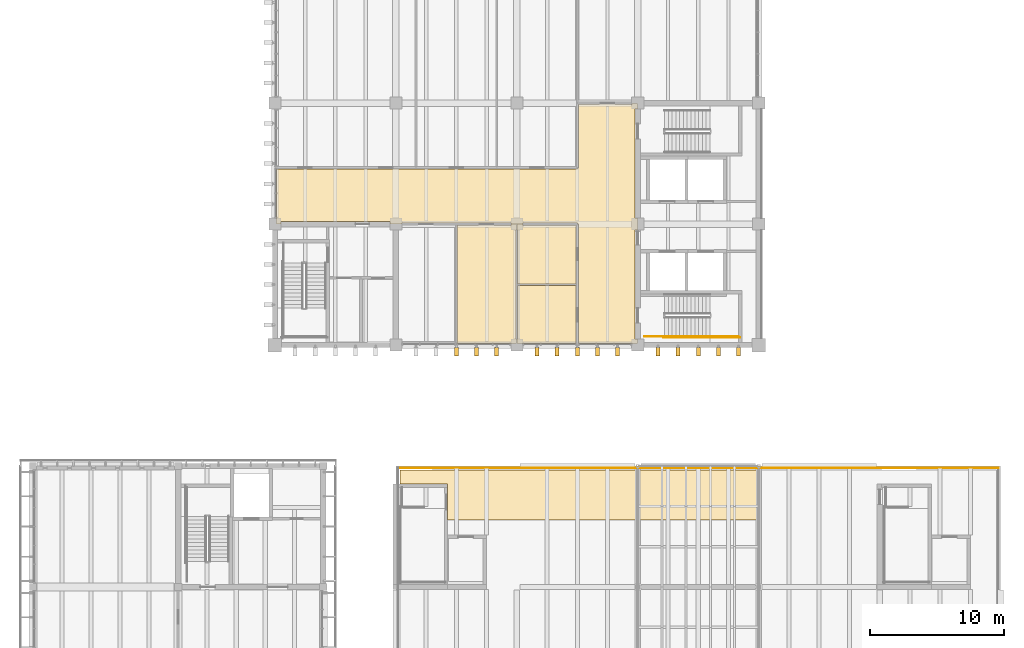
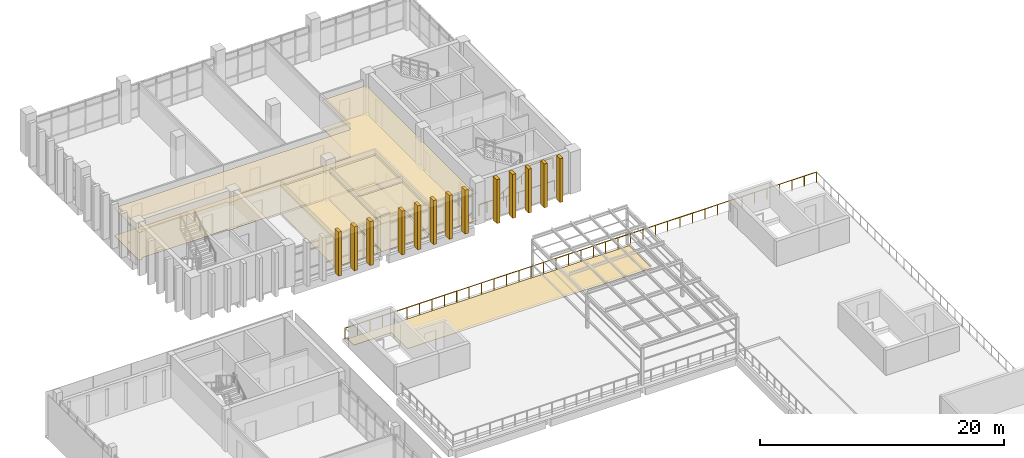
# One storey, part 72 of 74: 13 shading devices, 9 coverings, 5 railings.
"""IFC4 building model written with IfcOpenShell, lengths in metres."""

import ifcopenshell
import ifcopenshell.guid

model = None  # the IFC model being written
_history = None  # IfcOwnerHistory: only IFC2X3 demands one
_inside = {}  # id of a spatial element -> (the spatial element, [elements in it])
_under = {}  # id of a project, library or spatial element -> (it, [spatial elements below it])
_declared = {}  # id of a project -> (the project, [libraries it declares])
_typed = {}  # id of a type object -> (the type object, [elements of that type])
_made_of = {}  # id of a material, layer set ... -> (it, [elements and type objects made of it])


def new_model(schema):
    """Start an empty IFC model of exactly this schema.

    Asked for "IFC4X3", IfcOpenShell would pick the latest addendum, in which some entities
    have other attributes; the version numbers below select the first issue.
    IFC2X3 requires an IfcOwnerHistory on every rooted entity: one is made here for all.
    """
    global model, _history
    if schema == "IFC4X3":
        model = ifcopenshell.file(schema_version=(4, 3, 0, 0))
    else:
        model = ifcopenshell.file(schema=schema)
    _inside.clear()
    _under.clear()
    _declared.clear()
    _typed.clear()
    _made_of.clear()
    _history = None
    if model.schema == "IFC2X3":
        org = make("IfcOrganization", Name="unknown")
        user = make(
            "IfcPersonAndOrganization",
            ThePerson=make("IfcPerson", FamilyName="unknown"),
            TheOrganization=org,
        )
        app = make(
            "IfcApplication",
            ApplicationDeveloper=org,
            Version="unknown",
            ApplicationFullName="unknown",
            ApplicationIdentifier="unknown",
        )
        _history = make(
            "IfcOwnerHistory",
            OwningUser=user,
            OwningApplication=app,
            ChangeAction="ADDED",
            CreationDate=0,
        )
    return model


def make(cls, **values):
    """One entity of the class cls with the attributes given. An attribute that is None is left unset."""
    return model.create_entity(
        cls, **{name: value for name, value in values.items() if value is not None}
    )


def rooted(cls, **values):
    """An entity with a GlobalId (a new one), such as an element, a storey or a relation."""
    return make(cls, GlobalId=ifcopenshell.guid.new(), OwnerHistory=_history, **values)


def si_unit(unit_type, name, prefix=None):
    """IfcSIUnit, for example si_unit("LENGTHUNIT", "METRE", prefix="MILLI")."""
    return make("IfcSIUnit", UnitType=unit_type, Prefix=prefix, Name=name)


def assignment(units):
    """IfcUnitAssignment: the units of a project."""
    return None if units is None else make("IfcUnitAssignment", Units=units)


def point(xyz):
    """IfcCartesianPoint."""
    return None if xyz is None else make("IfcCartesianPoint", Coordinates=xyz)


def direction(xyz):
    """IfcDirection."""
    return None if xyz is None else make("IfcDirection", DirectionRatios=xyz)


def frame(location, z_axis=None, x_axis=None):
    """IfcAxis2Placement3D, a coordinate frame: its origin and axes. An axis left out is left unset."""
    return make(
        "IfcAxis2Placement3D",
        Location=point(location),
        Axis=direction(z_axis),
        RefDirection=direction(x_axis),
    )


def frame_2d(location, x_axis=None):
    """IfcAxis2Placement2D, a coordinate frame in the plane: its origin and x axis."""
    return make(
        "IfcAxis2Placement2D", Location=point(location), RefDirection=direction(x_axis)
    )


def origin():
    """The frame at (0, 0, 0) with its axes left unset."""
    return frame((0.0, 0.0, 0.0))


def origin_2d():
    """The frame at (0, 0) in the plane with its x axis left unset."""
    return frame_2d((0.0, 0.0))


def place(relative_to, where):
    """IfcLocalPlacement: puts the frame where relative to a parent placement (None: the world)."""
    return make(
        "IfcLocalPlacement", PlacementRelTo=relative_to, RelativePlacement=where
    )


def context(
    kind, dimensions, precision=None, world=None, true_north=None, identifier=None
):
    """IfcGeometricRepresentationContext, for example the 3D "Model" context."""
    return make(
        "IfcGeometricRepresentationContext",
        ContextIdentifier=identifier,
        ContextType=kind,
        CoordinateSpaceDimension=dimensions,
        Precision=precision,
        WorldCoordinateSystem=world,
        TrueNorth=true_north,
    )


def subcontext(parent, identifier, kind, view, scale=None):
    """IfcGeometricRepresentationSubContext, for example "Body" below "Model"."""
    return make(
        "IfcGeometricRepresentationSubContext",
        ContextIdentifier=identifier,
        ContextType=kind,
        ParentContext=parent,
        TargetScale=scale,
        TargetView=view,
    )


def project(units=None, contexts=None):
    """IfcProject with its units and contexts."""
    return rooted(
        "IfcProject",
        Name="project",
        RepresentationContexts=contexts,
        UnitsInContext=assignment(units),
    )


def spatial(cls, under=None, at=None, **own):
    """A site, building, storey or space (cls), placed at a placement, below another one or the project."""
    s = rooted(cls, ObjectPlacement=at, **own)
    if under is not None:
        _under.setdefault(under.id(), (under, []))[1].append(s)
    return s


def polyline(points):
    """IfcPolyline through the points."""
    return make("IfcPolyline", Points=[point(p) for p in points])


def profile(cls, at=None, kind="AREA", **sizes):
    """A parametric profile (cls). Its sizes go by their IFC names, for example OverallWidth=200.0."""
    return make(cls, ProfileType=kind, Position=at, **sizes)


def circle(**sizes):
    """IfcCircleProfileDef."""
    return profile("IfcCircleProfileDef", **sizes)


def outline(outer, holes=None, kind="AREA"):
    """IfcArbitraryClosedProfileDef: a profile drawn as a closed curve; with holes, ...WithVoids."""
    if holes is None:
        return make("IfcArbitraryClosedProfileDef", ProfileType=kind, OuterCurve=outer)
    return make(
        "IfcArbitraryProfileDefWithVoids",
        ProfileType=kind,
        OuterCurve=outer,
        InnerCurves=holes,
    )


def extrude(swept, where, along, depth):
    """IfcExtrudedAreaSolid: the profile swept, set in the frame where, extruded along a direction by depth."""
    return make(
        "IfcExtrudedAreaSolid",
        SweptArea=swept,
        Position=where,
        ExtrudedDirection=direction(along),
        Depth=depth,
    )


def shape(context_of_items, identifier, shape_type, items):
    """IfcShapeRepresentation: the items that make up one representation, for example the "Body"."""
    return make(
        "IfcShapeRepresentation",
        ContextOfItems=context_of_items,
        RepresentationIdentifier=identifier,
        RepresentationType=shape_type,
        Items=items,
    )


def source(mapping_origin, context_of_items, identifier, shape_type, items):
    """IfcRepresentationMap: a shape defined once, which mapped items show again and again."""
    return make(
        "IfcRepresentationMap",
        MappingOrigin=mapping_origin,
        MappedRepresentation=shape(context_of_items, identifier, shape_type, items),
    )


def transform(
    local_origin,
    x_axis=None,
    y_axis=None,
    z_axis=None,
    scale=None,
    scale2=None,
    scale3=None,
    uniform=True,
):
    """IfcCartesianTransformationOperator3D, or its non-uniform kind. x_axis, y_axis, z_axis: its Axis1, 2, 3."""
    if uniform:
        return make(
            "IfcCartesianTransformationOperator3D",
            Axis1=direction(x_axis),
            Axis2=direction(y_axis),
            LocalOrigin=point(local_origin),
            Scale=scale,
            Axis3=direction(z_axis),
        )
    return make(
        "IfcCartesianTransformationOperator3DnonUniform",
        Axis1=direction(x_axis),
        Axis2=direction(y_axis),
        LocalOrigin=point(local_origin),
        Scale=scale,
        Axis3=direction(z_axis),
        Scale2=scale2,
        Scale3=scale3,
    )


def mapped(mapping_source, mapping_target):
    """IfcMappedItem: shows the shape of a source again, moved by a transform."""
    return make(
        "IfcMappedItem", MappingSource=mapping_source, MappingTarget=mapping_target
    )


def material(Name=None, Category=None):
    """IfcMaterial."""
    return make("IfcMaterial", Name=Name, Category=Category)


def layer(
    of_material, thickness, ventilated=None, Name=None, Category=None, Priority=None
):
    """IfcMaterialLayer: one layer of a wall or slab, of a material (None: an air gap)."""
    return make(
        "IfcMaterialLayer",
        Material=of_material,
        LayerThickness=thickness,
        IsVentilated=ventilated,
        Name=Name,
        Category=Category,
        Priority=Priority,
    )


def layer_set(layers, Name=None):
    """IfcMaterialLayerSet."""
    return make("IfcMaterialLayerSet", MaterialLayers=layers, LayerSetName=Name)


def made_of(thing, what):
    """Note that an element or type object is made of a material, layer set ...; save() writes the relation."""
    if what is not None:
        _made_of.setdefault(what.id(), (what, []))[1].append(thing)
    return thing


def type_object(cls, material=None, **own):
    """A type object (cls), such as IfcWallType, which elements share."""
    return made_of(rooted(cls, **own), material)


def element(
    cls,
    number,
    at=None,
    inside=None,
    cuts=None,
    type_object=None,
    material=None,
    context=None,
    identifier="Body",
    shape_type=None,
    held_by="IfcProductDefinitionShape",
    body=None,
    shapes=None,
    **own,
):
    """One element of the class cls, such as IfcWall. Its Tag is "e" and its number.

    at: its placement. inside: the storey or other place that contains it. cuts: it is an
    opening in that element (IfcRelVoidsElement). A single representation is given by context,
    identifier, shape_type and body (its items); several are given by shapes. held_by: the class
    of the entity that holds the representations. save() writes the other relations.
    """
    e = rooted(cls, Tag="e%d" % number, ObjectPlacement=at, **own)
    if body is not None:
        shapes = [shape(context, identifier, shape_type, body)]
    if shapes is not None:
        e.Representation = make(held_by, Representations=shapes)
    if inside is not None:
        _inside.setdefault(inside.id(), (inside, []))[1].append(e)
    if cuts is not None:
        rooted(
            "IfcRelVoidsElement", RelatingBuildingElement=cuts, RelatedOpeningElement=e
        )
    if type_object is not None:
        _typed.setdefault(type_object.id(), (type_object, []))[1].append(e)
    return made_of(e, material)


def aggregate(whole, parts):
    """IfcRelAggregates: a whole, such as a stair, and the parts it consists of."""
    return rooted("IfcRelAggregates", RelatingObject=whole, RelatedObjects=parts)


def save(model, path):
    """Write the relations noted so far, then the file.

    IfcRelAggregates (storeys below a building ...), IfcRelContainedInSpatialStructure (elements
    in a storey), IfcRelDefinesByType, IfcRelAssociatesMaterial and IfcRelDeclares: one each for
    every whole, place, type object, material and project.
    """
    for whole, parts in _under.values():
        aggregate(whole, parts)
    for where, things in _inside.values():
        rooted(
            "IfcRelContainedInSpatialStructure",
            RelatedElements=things,
            RelatingStructure=where,
        )
    for kind, things in _typed.values():
        rooted("IfcRelDefinesByType", RelatedObjects=things, RelatingType=kind)
    for what, things in _made_of.values():
        rooted("IfcRelAssociatesMaterial", RelatedObjects=things, RelatingMaterial=what)
    for by, libraries in _declared.values():
        rooted("IfcRelDeclares", RelatingContext=by, RelatedDefinitions=libraries)
    model.write(path)


model = new_model("IFC4")

# Units and contexts
model_context = context("Model", 3, precision=1e-05, world=origin(), true_north=direction((0.0, 1.0)))
body_context = subcontext(model_context, "Body", "Model", "MODEL_VIEW")
ifc_project = project(units=[si_unit("LENGTHUNIT", "METRE"), si_unit("AREAUNIT", "SQUARE_METRE"), si_unit("VOLUMEUNIT", "CUBIC_METRE"), si_unit("PLANEANGLEUNIT", "RADIAN"), si_unit("MASSUNIT", "GRAM", prefix="KILO")], contexts=[model_context])

# Site, building, storey
site_placement = place(None, origin())
site = spatial("IfcSite", under=ifc_project, at=site_placement, CompositionType="ELEMENT")
building_placement = place(site_placement, origin())
building = spatial("IfcBuilding", under=site, at=building_placement, Name="Merrow Basin Faculty of Sciences", CompositionType="ELEMENT")
storey_placement = place(building_placement, frame((0.0, 0.0, 13.5)))
storey = spatial("IfcBuildingStorey", under=building, at=storey_placement, Name="L03", CompositionType="ELEMENT", Elevation=13.5)

# Coverings
ifc_material_1 = material(Name="Carpet tile floor")
ifc_layer_1 = layer(ifc_material_1, 0.02001953125)
ifc_layer_set_1 = layer_set([ifc_layer_1], Name="Carpet tile floor")
covering_type_1 = type_object("IfcCoveringType", Name="Carpet tile floor", PredefinedType="FLOORING", material=ifc_layer_set_1)
covering_1_placement = place(storey_placement, origin())
element("IfcCovering", 1, at=covering_1_placement, inside=storey, type_object=covering_type_1, Name="Floor finish L03-T-018", PredefinedType="FLOORING", context=body_context, shape_type="SweptSolid", body=[
    extrude(outline(polyline([(35.989990234375, 150.989990234375), (35.989990234375, 150.56005859375), (35.93994140625, 150.56005859375), (35.93994140625, 142.43994140625), (35.989990234375, 142.43994140625), (35.989990234375, 142.110107421875), (31.56005859375, 142.110107421875), (31.56005859375, 150.9150390625), (35.56005859375, 150.9150390625), (35.56005859375, 150.989990234375), (35.989990234375, 150.989990234375)])), origin(), (0.0, 0.0, 1.0), 0.02001953125),
])
ifc_material_2 = material(Name="Ceramic floor tile")
ifc_layer_2 = layer(ifc_material_2, 0.02001953125)
ifc_layer_set_2 = layer_set([ifc_layer_2], Name="Ceramic floor tile")
covering_type_2 = type_object("IfcCoveringType", Name="Ceramic floor tile", PredefinedType="FLOORING", material=ifc_layer_set_2)
covering_2_placement = place(storey_placement, origin())
element("IfcCovering", 2, at=covering_2_placement, inside=storey, type_object=covering_type_2, Name="Floor finish L03-T-012", PredefinedType="FLOORING", context=body_context, shape_type="SweptSolid", body=[
    extrude(outline(polyline([(36.010009765625, 142.110107421875), (36.010009765625, 142.43994140625), (36.06005859375, 142.43994140625), (36.06005859375, 146.43994140625), (40.4150390625, 146.43994140625), (40.4150390625, 142.110107421875), (36.010009765625, 142.110107421875)])), origin(), (0.0, 0.0, 1.0), 0.02001953125),
])
covering_3_placement = place(storey_placement, origin())
element("IfcCovering", 3, at=covering_3_placement, inside=storey, type_object=covering_type_2, Name="Floor finish L03-T-013", PredefinedType="FLOORING", context=body_context, shape_type="SweptSolid", body=[
    extrude(outline(polyline([(36.010009765625, 150.989990234375), (36.43994140625, 150.989990234375), (36.43994140625, 150.9150390625), (40.4150390625, 150.9150390625), (40.4150390625, 146.56005859375), (36.06005859375, 146.56005859375), (36.06005859375, 150.56005859375), (36.010009765625, 150.56005859375), (36.010009765625, 150.989990234375)])), origin(), (0.0, 0.0, 1.0), 0.02001953125),
])
ifc_material_3 = material(Name="Polished terrazzo floor")
ifc_layer_3 = layer(ifc_material_3, 0.02001953125)
ifc_layer_set_3 = layer_set([ifc_layer_3], Name="Polished terrazzo floor")
covering_type_3 = type_object("IfcCoveringType", Name="Polished terrazzo floor", PredefinedType="FLOORING", material=ifc_layer_set_3)
covering_4_placement = place(storey_placement, origin())
element("IfcCovering", 4, at=covering_4_placement, inside=storey, type_object=covering_type_3, Name="Floor finish L03-T-020", PredefinedType="FLOORING", context=body_context, shape_type="SweptSolid", body=[
    extrude(outline(polyline([(44.989990234375, 159.56005859375), (44.7900390625, 159.56005859375), (44.7900390625, 151.43994140625), (44.989990234375, 151.43994140625), (44.989990234375, 150.56005859375), (44.7900390625, 150.56005859375), (44.7900390625, 142.43994140625), (44.989990234375, 142.43994140625), (44.989990234375, 142.110107421875), (40.5849609375, 142.110107421875), (40.5849609375, 151.010009765625), (40.510009765625, 151.010009765625), (40.510009765625, 151.0849609375), (36.43994140625, 151.0849609375), (36.43994140625, 151.010009765625), (35.56005859375, 151.010009765625), (35.56005859375, 151.0849609375), (27.43994140625, 151.0849609375), (27.43994140625, 151.010009765625), (26.56005859375, 151.010009765625), (26.56005859375, 151.2099609375), (18.43994140625, 151.2099609375), (18.43994140625, 151.010009765625), (18.110107421875, 151.010009765625), (18.110107421875, 155.114990234375), (40.510009765625, 155.114990234375), (40.510009765625, 155.18994140625), (40.5849609375, 155.18994140625), (40.5849609375, 159.9150390625), (44.56005859375, 159.9150390625), (44.56005859375, 159.989990234375), (44.989990234375, 159.989990234375), (44.989990234375, 159.56005859375)])), origin(), (0.0, 0.0, 1.0), 0.02001953125),
])

# Railings
ifc_material_4 = material(Name="Stainless steel balustrade", Category="steel")
railing_type_1 = type_object("IfcRailingType", Name="Roof terrace guard 1100", PredefinedType="GUARDRAIL", material=ifc_material_4)
railing_1_placement = place(storey_placement, frame((27.14990234375, 132.85009765625, 0.0)))
element("IfcRailing", 5, at=railing_1_placement, inside=storey, type_object=railing_type_1, Name="Roof terrace guard", PredefinedType="GUARDRAIL", context=body_context, shape_type="SweptSolid", body=[
    extrude(circle(Radius=0.02392578125, at=origin_2d()), frame((0.0, 0.0, 1.076171875), z_axis=(1.0, 0.0, 0.0), x_axis=(0.0, 1.0, 0.0)), (0.0, 0.0, 1.0), 44.7001953125),
    extrude(circle(Radius=0.02099609375, at=origin_2d()), origin(), (0.0, 0.0, 1.0), 1.052001953125),
    extrude(circle(Radius=0.02099609375, at=origin_2d()), frame((1.17626953125, 0.0, 0.0)), (0.0, 0.0, 1.0), 1.052001953125),
    extrude(circle(Radius=0.02099609375, at=origin_2d()), frame((2.3525390625, 0.0, 0.0)), (0.0, 0.0, 1.0), 1.052001953125),
    extrude(circle(Radius=0.02099609375, at=origin_2d()), frame((3.529052734375, 0.0, 0.0)), (0.0, 0.0, 1.0), 1.052001953125),
    extrude(circle(Radius=0.02099609375, at=origin_2d()), frame((4.705322265625, 0.0, 0.0)), (0.0, 0.0, 1.0), 1.052001953125),
    extrude(circle(Radius=0.02099609375, at=origin_2d()), frame((5.881591796875, 0.0, 0.0)), (0.0, 0.0, 1.0), 1.052001953125),
    extrude(circle(Radius=0.02099609375, at=origin_2d()), frame((7.057861328125, 0.0, 0.0)), (0.0, 0.0, 1.0), 1.052001953125),
    extrude(circle(Radius=0.02099609375, at=origin_2d()), frame((8.234130859375, 0.0, 0.0)), (0.0, 0.0, 1.0), 1.052001953125),
    extrude(circle(Radius=0.02099609375, at=origin_2d()), frame((9.41064453125, 0.0, 0.0)), (0.0, 0.0, 1.0), 1.052001953125),
    extrude(circle(Radius=0.02099609375, at=origin_2d()), frame((10.5869140625, 0.0, 0.0)), (0.0, 0.0, 1.0), 1.052001953125),
    extrude(circle(Radius=0.02099609375, at=origin_2d()), frame((11.76318359375, 0.0, 0.0)), (0.0, 0.0, 1.0), 1.052001953125),
    extrude(circle(Radius=0.02099609375, at=origin_2d()), frame((12.939453125, 0.0, 0.0)), (0.0, 0.0, 1.0), 1.052001953125),
    extrude(circle(Radius=0.02099609375, at=origin_2d()), frame((14.115966796875, 0.0, 0.0)), (0.0, 0.0, 1.0), 1.052001953125),
    extrude(circle(Radius=0.02099609375, at=origin_2d()), frame((15.292236328125, 0.0, 0.0)), (0.0, 0.0, 1.0), 1.052001953125),
    extrude(circle(Radius=0.02099609375, at=origin_2d()), frame((16.468505859375, 0.0, 0.0)), (0.0, 0.0, 1.0), 1.052001953125),
    extrude(circle(Radius=0.02099609375, at=origin_2d()), frame((17.644775390625, 0.0, 0.0)), (0.0, 0.0, 1.0), 1.052001953125),
    extrude(circle(Radius=0.02099609375, at=origin_2d()), frame((18.821044921875, 0.0, 0.0)), (0.0, 0.0, 1.0), 1.052001953125),
    extrude(circle(Radius=0.02099609375, at=origin_2d()), frame((19.99755859375, 0.0, 0.0)), (0.0, 0.0, 1.0), 1.052001953125),
    extrude(circle(Radius=0.02099609375, at=origin_2d()), frame((21.173828125, 0.0, 0.0)), (0.0, 0.0, 1.0), 1.052001953125),
    extrude(circle(Radius=0.02099609375, at=origin_2d()), frame((22.35009765625, 0.0, 0.0)), (0.0, 0.0, 1.0), 1.052001953125),
    extrude(circle(Radius=0.02099609375, at=origin_2d()), frame((23.5263671875, 0.0, 0.0)), (0.0, 0.0, 1.0), 1.052001953125),
    extrude(circle(Radius=0.02099609375, at=origin_2d()), frame((24.70263671875, 0.0, 0.0)), (0.0, 0.0, 1.0), 1.052001953125),
    extrude(circle(Radius=0.02099609375, at=origin_2d()), frame((25.879150390625, 0.0, 0.0)), (0.0, 0.0, 1.0), 1.052001953125),
    extrude(circle(Radius=0.02099609375, at=origin_2d()), frame((27.055419921875, 0.0, 0.0)), (0.0, 0.0, 1.0), 1.052001953125),
    extrude(circle(Radius=0.02099609375, at=origin_2d()), frame((28.231689453125, 0.0, 0.0)), (0.0, 0.0, 1.0), 1.052001953125),
    extrude(circle(Radius=0.02099609375, at=origin_2d()), frame((29.407958984375, 0.0, 0.0)), (0.0, 0.0, 1.0), 1.052001953125),
    extrude(circle(Radius=0.02099609375, at=origin_2d()), frame((30.584228515625, 0.0, 0.0)), (0.0, 0.0, 1.0), 1.052001953125),
    extrude(circle(Radius=0.02099609375, at=origin_2d()), frame((31.7607421875, 0.0, 0.0)), (0.0, 0.0, 1.0), 1.052001953125),
    extrude(circle(Radius=0.02099609375, at=origin_2d()), frame((32.93701171875, 0.0, 0.0)), (0.0, 0.0, 1.0), 1.052001953125),
    extrude(circle(Radius=0.02099609375, at=origin_2d()), frame((34.11328125, 0.0, 0.0)), (0.0, 0.0, 1.0), 1.052001953125),
    extrude(circle(Radius=0.02099609375, at=origin_2d()), frame((35.28955078125, 0.0, 0.0)), (0.0, 0.0, 1.0), 1.052001953125),
    extrude(circle(Radius=0.02099609375, at=origin_2d()), frame((36.466064453125, 0.0, 0.0)), (0.0, 0.0, 1.0), 1.052001953125),
    extrude(circle(Radius=0.02099609375, at=origin_2d()), frame((37.642333984375, 0.0, 0.0)), (0.0, 0.0, 1.0), 1.052001953125),
    extrude(circle(Radius=0.02099609375, at=origin_2d()), frame((38.818603515625, 0.0, 0.0)), (0.0, 0.0, 1.0), 1.052001953125),
    extrude(circle(Radius=0.02099609375, at=origin_2d()), frame((39.994873046875, 0.0, 0.0)), (0.0, 0.0, 1.0), 1.052001953125),
    extrude(circle(Radius=0.02099609375, at=origin_2d()), frame((41.171142578125, 0.0, 0.0)), (0.0, 0.0, 1.0), 1.052001953125),
    extrude(circle(Radius=0.02099609375, at=origin_2d()), frame((42.34765625, 0.0, 0.0)), (0.0, 0.0, 1.0), 1.052001953125),
    extrude(circle(Radius=0.02099609375, at=origin_2d()), frame((43.52392578125, 0.0, 0.0)), (0.0, 0.0, 1.0), 1.052001953125),
    extrude(circle(Radius=0.02099609375, at=origin_2d()), frame((44.7001953125, 0.0, 0.0)), (0.0, 0.0, 1.0), 1.052001953125),
])
ifc_material_5 = material(Name="Steel ASTM A36", Category="steel")
railing_type_2 = type_object("IfcRailingType", Name="Steel guard 1100", PredefinedType="GUARDRAIL", material=ifc_material_5)
railing_2_placement = place(storey_placement, frame((50.360107421875, 142.64990234375, 2.25)))
element("IfcRailing", 6, at=railing_2_placement, inside=storey, type_object=railing_type_2, Name="L03 ST-V5-N stair guard 3", PredefinedType="GUARDRAIL", context=body_context, shape_type="SweptSolid", body=[
    extrude(circle(Radius=0.02392578125, at=origin_2d()), frame((0.0, 0.0, 1.076171875), z_axis=(1.0, 0.0, 0.0), x_axis=(0.0, 1.0, 0.0)), (0.0, 0.0, 1.0), 2.139892578125),
    extrude(circle(Radius=0.02099609375, at=origin_2d()), origin(), (0.0, 0.0, 1.0), 1.052001953125),
    extrude(circle(Radius=0.02099609375, at=origin_2d()), frame((1.06982421875, 0.0, 0.0)), (0.0, 0.0, 1.0), 1.052001953125),
    extrude(circle(Radius=0.02099609375, at=origin_2d()), frame((2.139892578125, 0.0, 0.0)), (0.0, 0.0, 1.0), 1.052001953125),
])
railing_3_placement = place(storey_placement, frame((45.5, 142.64990234375, 0.0)))
element("IfcRailing", 7, at=railing_3_placement, inside=storey, type_object=railing_type_2, Name="L03 ST-V5-N stair guard 6", PredefinedType="GUARDRAIL", context=body_context, shape_type="SweptSolid", body=[
    extrude(circle(Radius=0.02392578125, at=origin_2d()), frame((0.0, 0.0, 1.076171875), z_axis=(1.0, 0.0, 0.0), x_axis=(0.0, 1.0, 0.0)), (0.0, 0.0, 1.0), 1.5),
    extrude(circle(Radius=0.02099609375, at=origin_2d()), origin(), (0.0, 0.0, 1.0), 1.052001953125),
    extrude(circle(Radius=0.02099609375, at=origin_2d()), frame((0.75, 0.0, 0.0)), (0.0, 0.0, 1.0), 1.052001953125),
    extrude(circle(Radius=0.02099609375, at=origin_2d()), frame((1.5, 0.0, 0.0)), (0.0, 0.0, 1.0), 1.052001953125),
])
railing_4_placement = place(storey_placement, frame((46.89990234375, 142.550048828125, 0.0)))
element("IfcRailing", 8, at=railing_4_placement, inside=storey, type_object=railing_type_2, Name="L03 ST-V5-N stair guard 7", PredefinedType="GUARDRAIL", context=body_context, shape_type="SweptSolid", body=[
    extrude(circle(Radius=0.02392578125, at=origin_2d()), frame((0.0, 0.0, 1.076171875), z_axis=(1.0, 0.0, 0.0), x_axis=(0.0, 1.0, 0.0)), (0.0, 0.0, 1.0), 5.7001953125),
    extrude(circle(Radius=0.02099609375, at=origin_2d()), origin(), (0.0, 0.0, 1.0), 1.052001953125),
    extrude(circle(Radius=0.02099609375, at=origin_2d()), frame((1.14013671875, 0.0, 0.0)), (0.0, 0.0, 1.0), 1.052001953125),
    extrude(circle(Radius=0.02099609375, at=origin_2d()), frame((2.280029296875, 0.0, 0.0)), (0.0, 0.0, 1.0), 1.052001953125),
    extrude(circle(Radius=0.02099609375, at=origin_2d()), frame((3.420166015625, 0.0, 0.0)), (0.0, 0.0, 1.0), 1.052001953125),
    extrude(circle(Radius=0.02099609375, at=origin_2d()), frame((4.56005859375, 0.0, 0.0)), (0.0, 0.0, 1.0), 1.052001953125),
    extrude(circle(Radius=0.02099609375, at=origin_2d()), frame((5.7001953125, 0.0, 0.0)), (0.0, 0.0, 1.0), 1.052001953125),
])
ifc_material_6 = material(Name="Steel ASTM A36", Category="steel")
railing_type_3 = type_object("IfcRailingType", Name="Steel handrail 900", PredefinedType="HANDRAIL", material=ifc_material_6)
railing_5_placement = place(storey_placement, frame((47.0, 142.64990234375, 0.173095703125)))
element("IfcRailing", 9, at=railing_5_placement, inside=storey, type_object=railing_type_3, Name="L03 ST-V5-N stair handrail 1", PredefinedType="HANDRAIL", context=body_context, shape_type="SweptSolid", body=[
    extrude(circle(Radius=0.02392578125, at=origin_2d()), frame((0.0, 0.0, 0.8759765625), z_axis=(0.850623216509, 0.0, 0.525775754039), x_axis=(0.0, 1.0, 0.0)), (0.0, 0.0, 1.0), 3.9501953125),
    extrude(circle(Radius=0.02099609375, at=origin_2d()), origin(), (0.0, 0.0, 1.0), 0.851806640625),
    extrude(circle(Radius=0.02099609375, at=origin_2d()), frame((0.840087890625, 0.0, 0.519287109375)), (0.0, 0.0, 1.0), 0.851806640625),
    extrude(circle(Radius=0.02099609375, at=origin_2d()), frame((1.68017578125, 0.0, 1.03857421875)), (0.0, 0.0, 1.0), 0.851806640625),
    extrude(circle(Radius=0.02099609375, at=origin_2d()), frame((2.52001953125, 0.0, 1.5576171875)), (0.0, 0.0, 1.0), 0.851806640625),
    extrude(circle(Radius=0.02099609375, at=origin_2d()), frame((3.360107421875, 0.0, 2.076904296875)), (0.0, 0.0, 1.0), 0.851806640625),
])

# Coverings
ifc_material_7 = material(Name="Mineral fibre ceiling tile")
ifc_layer_4 = layer(ifc_material_7, 0.050048828125)
ifc_layer_set_4 = layer_set([ifc_layer_4], Name="Suspended acoustic ceiling tile")
covering_type_4 = type_object("IfcCoveringType", Name="Suspended acoustic ceiling tile", PredefinedType="CEILING", material=ifc_layer_set_4)
covering_5_placement = place(storey_placement, frame((0.0, 0.0, 2.75)))
element("IfcCovering", 10, at=covering_5_placement, inside=storey, type_object=covering_type_4, Name="Ceiling L03-T-012", PredefinedType="CEILING", context=body_context, shape_type="SweptSolid", body=[
    extrude(outline(polyline([(36.010009765625, 142.110107421875), (36.010009765625, 142.43994140625), (36.06005859375, 142.43994140625), (36.06005859375, 146.43994140625), (40.4150390625, 146.43994140625), (40.4150390625, 142.110107421875), (36.010009765625, 142.110107421875)])), origin(), (0.0, 0.0, 1.0), 0.050048828125),
])
covering_6_placement = place(storey_placement, frame((0.0, 0.0, 2.75)))
element("IfcCovering", 11, at=covering_6_placement, inside=storey, type_object=covering_type_4, Name="Ceiling L03-T-013", PredefinedType="CEILING", context=body_context, shape_type="SweptSolid", body=[
    extrude(outline(polyline([(36.010009765625, 150.989990234375), (36.43994140625, 150.989990234375), (36.43994140625, 150.9150390625), (40.4150390625, 150.9150390625), (40.4150390625, 146.56005859375), (36.06005859375, 146.56005859375), (36.06005859375, 150.56005859375), (36.010009765625, 150.56005859375), (36.010009765625, 150.989990234375)])), origin(), (0.0, 0.0, 1.0), 0.050048828125),
])
covering_7_placement = place(storey_placement, frame((0.0, 0.0, 2.75)))
element("IfcCovering", 12, at=covering_7_placement, inside=storey, type_object=covering_type_4, Name="Ceiling L03-T-018", PredefinedType="CEILING", context=body_context, shape_type="SweptSolid", body=[
    extrude(outline(polyline([(35.989990234375, 150.989990234375), (35.989990234375, 150.56005859375), (35.93994140625, 150.56005859375), (35.93994140625, 142.43994140625), (35.989990234375, 142.43994140625), (35.989990234375, 142.110107421875), (31.56005859375, 142.110107421875), (31.56005859375, 150.9150390625), (35.56005859375, 150.9150390625), (35.56005859375, 150.989990234375), (35.989990234375, 150.989990234375)])), origin(), (0.0, 0.0, 1.0), 0.050048828125),
])
covering_8_placement = place(storey_placement, frame((0.0, 0.0, 2.75)))
element("IfcCovering", 13, at=covering_8_placement, inside=storey, type_object=covering_type_4, Name="Ceiling L03-T-020", PredefinedType="CEILING", context=body_context, shape_type="SweptSolid", body=[
    extrude(outline(polyline([(44.989990234375, 159.56005859375), (44.7900390625, 159.56005859375), (44.7900390625, 151.43994140625), (44.989990234375, 151.43994140625), (44.989990234375, 150.56005859375), (44.7900390625, 150.56005859375), (44.7900390625, 142.43994140625), (44.989990234375, 142.43994140625), (44.989990234375, 142.110107421875), (40.5849609375, 142.110107421875), (40.5849609375, 151.010009765625), (40.510009765625, 151.010009765625), (40.510009765625, 151.0849609375), (36.43994140625, 151.0849609375), (36.43994140625, 151.010009765625), (35.56005859375, 151.010009765625), (35.56005859375, 151.0849609375), (27.43994140625, 151.0849609375), (27.43994140625, 151.010009765625), (26.56005859375, 151.010009765625), (26.56005859375, 151.2099609375), (18.43994140625, 151.2099609375), (18.43994140625, 151.010009765625), (18.110107421875, 151.010009765625), (18.110107421875, 155.114990234375), (40.510009765625, 155.114990234375), (40.510009765625, 155.18994140625), (40.5849609375, 155.18994140625), (40.5849609375, 159.9150390625), (44.56005859375, 159.9150390625), (44.56005859375, 159.989990234375), (44.989990234375, 159.989990234375), (44.989990234375, 159.56005859375)])), origin(), (0.0, 0.0, 1.0), 0.050048828125),
])
ifc_material_8 = material(Name="Concrete paving slab", Category="concrete")
ifc_layer_5 = layer(ifc_material_8, 0.050048828125)
ifc_layer_set_5 = layer_set([ifc_layer_5], Name="Terrace paving 50")
covering_type_5 = type_object("IfcCoveringType", Name="Terrace paving 50", PredefinedType="FLOORING", material=ifc_layer_set_5)
covering_9_placement = place(storey_placement, origin())
element("IfcCovering", 14, at=covering_9_placement, inside=storey, type_object=covering_type_5, Name="Terrace paving", PredefinedType="FLOORING", context=body_context, shape_type="SweptSolid", body=[
    extrude(outline(polyline([(30.85009765625, 131.39990234375), (30.85009765625, 131.64990234375), (27.300048828125, 131.64990234375), (27.300048828125, 132.699951171875), (54.0, 132.699951171875), (54.0, 129.0), (30.85009765625, 129.0), (30.85009765625, 131.39990234375)])), origin(), (0.0, 0.0, 1.0), 0.050048828125),
])

# Shading devices
ifc_material_9 = material(Name="White precast concrete C50/60", Category="concrete")
shading_device_type = type_object("IfcShadingDeviceType", Name="White precast fin 300 x 600", PredefinedType="USERDEFINED", material=ifc_material_9)
shared_shape = source(origin(), body_context, "Body", "SweptSolid", [
    extrude(outline(polyline([(0.0, 0.0), (0.300048828125, 0.0), (0.300048828125, 4.39990234375), (0.0, 4.39990234375), (0.0, 0.0)])), origin(), (0.0, 0.0, 1.0), 0.60009765625),
])
for number, where, z_axis, x_axis, name in (
    (15, (31.35009765625, 141.800048828125, -0.25), (0.0, -1.0, 0.0), (1.0, 0.0, 0.0), "Brise-soleil fin SL03"),
    (16, (32.85009765625, 141.800048828125, -0.25), (0.0, -1.0, 0.0), (1.0, 0.0, 0.0), "Brise-soleil fin SL03"),
    (17, (34.35009765625, 141.800048828125, -0.25), (0.0, -1.0, 0.0), (1.0, 0.0, 0.0), "Brise-soleil fin SL03"),
    (18, (37.35009765625, 141.800048828125, -0.25), (0.0, -1.0, 0.0), (1.0, 0.0, 0.0), "Brise-soleil fin SL03"),
    (19, (38.85009765625, 141.800048828125, -0.25), (0.0, -1.0, 0.0), (1.0, 0.0, 0.0), "Brise-soleil fin SL03"),
    (20, (40.35009765625, 141.800048828125, -0.25), (0.0, -1.0, 0.0), (1.0, 0.0, 0.0), "Brise-soleil fin SL03"),
    (21, (41.85009765625, 141.800048828125, -0.25), (0.0, -1.0, 0.0), (1.0, 0.0, 0.0), "Brise-soleil fin SL03"),
    (22, (43.35009765625, 141.800048828125, -0.25), (0.0, -1.0, 0.0), (1.0, 0.0, 0.0), "Brise-soleil fin SL03"),
    (23, (46.35009765625, 141.800048828125, -0.25), (0.0, -1.0, 0.0), (1.0, 0.0, 0.0), "Brise-soleil fin SL03"),
    (24, (47.85009765625, 141.800048828125, -0.25), (0.0, -1.0, 0.0), (1.0, 0.0, 0.0), "Brise-soleil fin SL03"),
    (25, (49.35009765625, 141.800048828125, -0.25), (0.0, -1.0, 0.0), (1.0, 0.0, 0.0), "Brise-soleil fin SL03"),
    (26, (50.85009765625, 141.800048828125, -0.25), (0.0, -1.0, 0.0), (1.0, 0.0, 0.0), "Brise-soleil fin SL03"),
    (27, (52.35009765625, 141.800048828125, -0.25), (0.0, -1.0, 0.0), (1.0, 0.0, 0.0), "Brise-soleil fin SL03"),
):
    element("IfcShadingDevice", number, at=place(storey_placement, frame(where, z_axis=z_axis, x_axis=x_axis)), inside=storey, type_object=shading_device_type, Name=name, ObjectType="FIN", PredefinedType="USERDEFINED", context=body_context, shape_type="MappedRepresentation", body=[
        mapped(shared_shape, transform((0.0, 0.0, 0.0), scale=1.0)),
    ])

save(model, "model.ifc")
